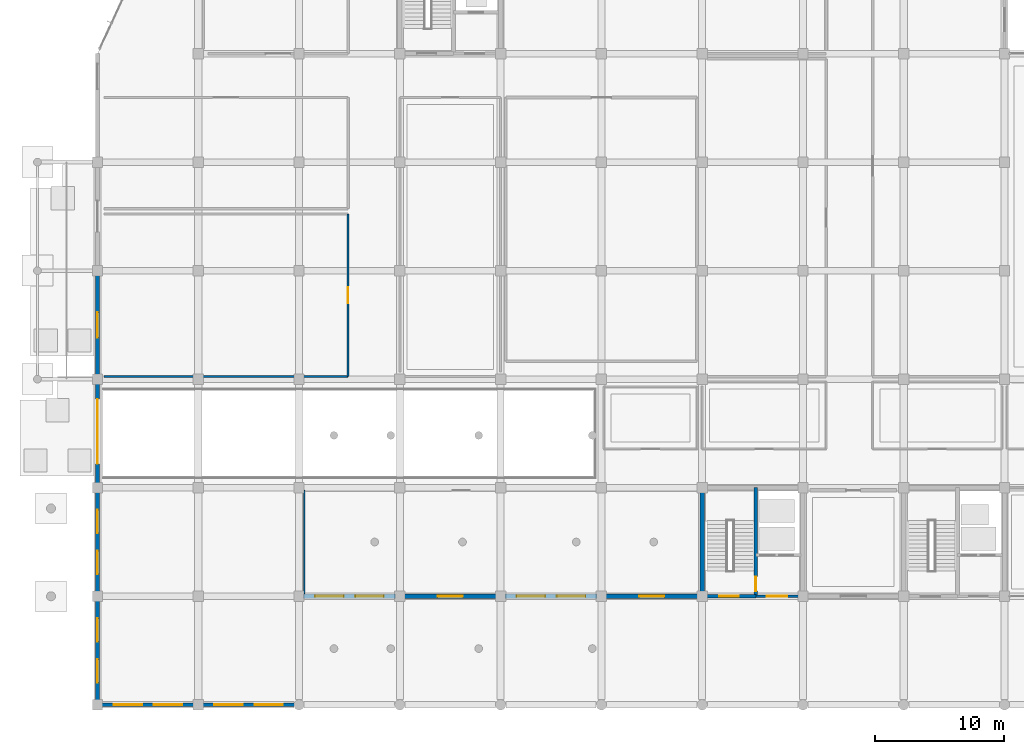
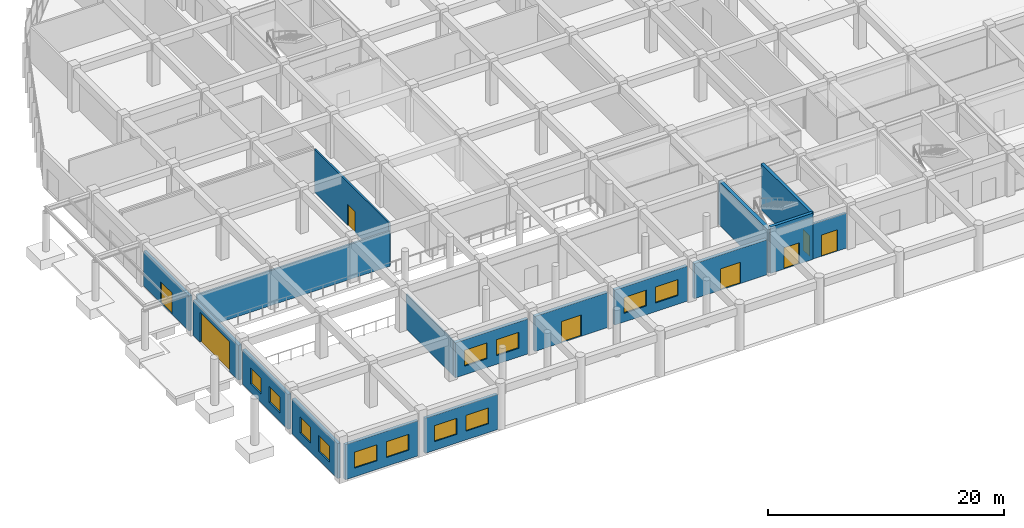
# One storey, part 121 of 139: 17 walls, 12 windows, 8 doors, 20 openings.
"""IFC4 building model written with IfcOpenShell, lengths in metres."""

from ifc_helpers import new_model, si_unit, direction, frame, frame_2d, origin, place, context, subcontext, project, spatial, rectangle, extrude, material, layer, layer_set, type_object, element, fill, save


model = new_model("IFC4")

# Units and contexts
model_context = context("Model", 3, precision=1e-05, world=origin(), true_north=direction((0.0, 1.0)))
body_context = subcontext(model_context, "Body", "Model", "MODEL_VIEW")
ifc_project = project(units=[si_unit("LENGTHUNIT", "METRE"), si_unit("AREAUNIT", "SQUARE_METRE"), si_unit("VOLUMEUNIT", "CUBIC_METRE"), si_unit("PLANEANGLEUNIT", "RADIAN"), si_unit("MASSUNIT", "GRAM", prefix="KILO")], contexts=[model_context])

# Site, building, storey
site_placement = place(None, origin())
site = spatial("IfcSite", under=ifc_project, at=site_placement, CompositionType="ELEMENT")
building_placement = place(site_placement, origin())
building = spatial("IfcBuilding", under=site, at=building_placement, Name="Zizhar Promenade General Hospital", CompositionType="ELEMENT")
storey_placement = place(building_placement, origin())
storey = spatial("IfcBuildingStorey", under=building, at=storey_placement, Name="L00", CompositionType="ELEMENT", Elevation=0.0)

# Wall, openings, windows
ifc_material_1 = material(Name="Precast concrete C40/50", Category="concrete")
ifc_layer_1 = layer(ifc_material_1, 0.2900390625)
ifc_layer_set_1 = layer_set([ifc_layer_1], Name="Precast concrete C40/50")
wall_type_1 = type_object("IfcWallType", Name="EW-PC-290", PredefinedType="STANDARD", material=ifc_layer_set_1)
wall_1_placement = place(storey_placement, frame((7.4599609375, 0.0, 0.0), z_axis=(0.0, 0.0, 1.0), x_axis=(-1.0, 0.0, 0.0)))
wall_1 = element("IfcWall", 1, at=wall_1_placement, inside=storey, type_object=wall_type_1, Name="South-West Arm South Wall L00-1", PredefinedType="STANDARD", context=body_context, shape_type="SweptSolid", body=[
    extrude(rectangle(XDim=7.119873046875, YDim=0.2900390625, at=frame_2d((3.56005859375, 0.0))), origin(), (0.0, 0.0, 1.0), 3.6298828125),
])
opening_1_placement = place(wall_1_placement, frame((0.90673828125, 0.0, 0.89990234375)))
opening_1 = element("IfcOpeningElement", 2, at=opening_1_placement, cuts=wall_1, Name="Opening W-07", PredefinedType="OPENING", context=body_context, shape_type="SweptSolid", body=[
    extrude(rectangle(XDim=2.199951171875, YDim=1.64990234375, at=frame_2d((1.10009765625, 0.824951171875))), frame((0.0, 0.155029296875, 0.0), z_axis=(0.0, -1.0, 0.0), x_axis=(1.0, 0.0, 0.0)), (0.0, 0.0, 1.0), 0.31005859375),
])
opening_2_placement = place(wall_1_placement, frame((4.01318359375, 0.0, 0.89990234375)))
opening_2 = element("IfcOpeningElement", 3, at=opening_2_placement, cuts=wall_1, Name="Opening W-07", PredefinedType="OPENING", context=body_context, shape_type="SweptSolid", body=[
    extrude(rectangle(XDim=2.199951171875, YDim=1.64990234375, at=frame_2d((1.10009765625, 0.824951171875))), frame((0.0, 0.155029296875, 0.0), z_axis=(0.0, -1.0, 0.0), x_axis=(1.0, 0.0, 0.0)), (0.0, 0.0, 1.0), 0.31005859375),
])
ifc_material_2 = material(Name="Anodised aluminium 6063-T6 and low-E glass", Category="aluminium")
window_type_1 = type_object("IfcWindowType", Name="WIN-CLN-220x165", PartitioningType="DOUBLE_PANEL_VERTICAL", PredefinedType="WINDOW", material=ifc_material_2)
window_1_placement = place(opening_1_placement, origin())
window_1 = element("IfcWindow", 4, at=window_1_placement, inside=storey, type_object=window_type_1, Name="South-West Arm South Wall L00-1 Window 1", OverallHeight=1.64990234375, OverallWidth=2.199951171875, PartitioningType="SINGLE_PANEL", PredefinedType="WINDOW", context=body_context, shape_type="SweptSolid", body=[
    extrude(rectangle(XDim=2.199951171875, YDim=1.64990234375, at=frame_2d((1.10009765625, 0.824951171875))), frame((0.0, 0.030029296875, 0.0), z_axis=(0.0, -1.0, 0.0), x_axis=(1.0, 0.0, 0.0)), (0.0, 0.0, 1.0), 0.06005859375),
])
fill(opening_1, window_1)
window_2_placement = place(opening_2_placement, origin())
window_2 = element("IfcWindow", 5, at=window_2_placement, inside=storey, type_object=window_type_1, Name="South-West Arm South Wall L00-1 Window 2", OverallHeight=1.64990234375, OverallWidth=2.199951171875, PartitioningType="SINGLE_PANEL", PredefinedType="WINDOW", context=body_context, shape_type="SweptSolid", body=[
    extrude(rectangle(XDim=2.199951171875, YDim=1.64990234375, at=frame_2d((1.10009765625, 0.824951171875))), frame((0.0, 0.030029296875, 0.0), z_axis=(0.0, -1.0, 0.0), x_axis=(1.0, 0.0, 0.0)), (0.0, 0.0, 1.0), 0.06005859375),
])
fill(opening_2, window_2)

wall_2_placement = place(storey_placement, frame((15.260009765625, 0.0, 0.0), z_axis=(0.0, 0.0, 1.0), x_axis=(-1.0, 0.0, 0.0)))
wall_2 = element("IfcWall", 6, at=wall_2_placement, inside=storey, type_object=wall_type_1, Name="South-West Arm South Wall L00-2", PredefinedType="STANDARD", context=body_context, shape_type="SweptSolid", body=[
    extrude(rectangle(XDim=7.1201171875, YDim=0.2900390625, at=frame_2d((3.56005859375, 0.0))), origin(), (0.0, 0.0, 1.0), 3.6298828125),
])
opening_3_placement = place(wall_2_placement, frame((0.90673828125, 0.0, 0.89990234375)))
opening_3 = element("IfcOpeningElement", 7, at=opening_3_placement, cuts=wall_2, Name="Opening W-07", PredefinedType="OPENING", context=body_context, shape_type="SweptSolid", body=[
    extrude(rectangle(XDim=2.199951171875, YDim=1.64990234375, at=frame_2d((1.10009765625, 0.824951171875))), frame((0.0, 0.155029296875, 0.0), z_axis=(0.0, -1.0, 0.0), x_axis=(1.0, 0.0, 0.0)), (0.0, 0.0, 1.0), 0.31005859375),
])
opening_4_placement = place(wall_2_placement, frame((4.01318359375, 0.0, 0.89990234375)))
opening_4 = element("IfcOpeningElement", 8, at=opening_4_placement, cuts=wall_2, Name="Opening W-07", PredefinedType="OPENING", context=body_context, shape_type="SweptSolid", body=[
    extrude(rectangle(XDim=2.199951171875, YDim=1.64990234375, at=frame_2d((1.10009765625, 0.824951171875))), frame((0.0, 0.155029296875, 0.0), z_axis=(0.0, -1.0, 0.0), x_axis=(1.0, 0.0, 0.0)), (0.0, 0.0, 1.0), 0.31005859375),
])
window_3_placement = place(opening_3_placement, origin())
window_3 = element("IfcWindow", 9, at=window_3_placement, inside=storey, type_object=window_type_1, Name="South-West Arm South Wall L00-2 Window 1", OverallHeight=1.64990234375, OverallWidth=2.199951171875, PartitioningType="SINGLE_PANEL", PredefinedType="WINDOW", context=body_context, shape_type="SweptSolid", body=[
    extrude(rectangle(XDim=2.199951171875, YDim=1.64990234375, at=frame_2d((1.10009765625, 0.824951171875))), frame((0.0, 0.030029296875, 0.0), z_axis=(0.0, -1.0, 0.0), x_axis=(1.0, 0.0, 0.0)), (0.0, 0.0, 1.0), 0.06005859375),
])
fill(opening_3, window_3)
window_4_placement = place(opening_4_placement, origin())
window_4 = element("IfcWindow", 10, at=window_4_placement, inside=storey, type_object=window_type_1, Name="South-West Arm South Wall L00-2 Window 2", OverallHeight=1.64990234375, OverallWidth=2.199951171875, PartitioningType="SINGLE_PANEL", PredefinedType="WINDOW", context=body_context, shape_type="SweptSolid", body=[
    extrude(rectangle(XDim=2.199951171875, YDim=1.64990234375, at=frame_2d((1.10009765625, 0.824951171875))), frame((0.0, 0.030029296875, 0.0), z_axis=(0.0, -1.0, 0.0), x_axis=(1.0, 0.0, 0.0)), (0.0, 0.0, 1.0), 0.06005859375),
])
fill(opening_4, window_4)

# Wall, opening, door
wall_3_placement = place(storey_placement, frame((0.0, 25.5400390625, 0.0), z_axis=(0.0, 0.0, 1.0), x_axis=(0.0, 1.0, 0.0)))
wall_3 = element("IfcWall", 11, at=wall_3_placement, inside=storey, type_object=wall_type_1, Name="Emergency West Exit Wall", PredefinedType="STANDARD", context=body_context, shape_type="SweptSolid", body=[
    extrude(rectangle(XDim=7.719970703125, YDim=0.2900390625, at=frame_2d((3.85986328125, 0.0))), origin(), (0.0, 0.0, 1.0), 3.614990234375),
])
opening_5_placement = place(wall_3_placement, frame((2.8798828125, 0.0, 0.0)))
opening_5 = element("IfcOpeningElement", 12, at=opening_5_placement, cuts=wall_3, Name="Opening ED-02", PredefinedType="OPENING", context=body_context, shape_type="SweptSolid", body=[
    extrude(rectangle(XDim=1.9599609375, YDim=2.199951171875, at=frame_2d((0.97998046875, 1.10009765625))), frame((0.0, 0.155029296875, 0.0), z_axis=(0.0, -1.0, 0.0), x_axis=(1.0, 0.0, 0.0)), (0.0, 0.0, 1.0), 0.31005859375),
])
ifc_material_3 = material(Name="Anodised aluminium 6063-T6 and laminated safety glass", Category="aluminium")
door_type_1 = type_object("IfcDoorType", Name="DR-EXT-EXIT-196x220", OperationType="DOUBLE_DOOR_SINGLE_SWING", PredefinedType="DOOR", material=ifc_material_3)
door_1_placement = place(opening_5_placement, origin())
door_1 = element("IfcDoor", 13, at=door_1_placement, inside=storey, type_object=door_type_1, Name="Emergency West Final Exit Door", OperationType="DOUBLE_DOOR_SINGLE_SWING", OverallHeight=2.199951171875, OverallWidth=1.9599609375, PredefinedType="DOOR", context=body_context, shape_type="SweptSolid", body=[
    extrude(rectangle(XDim=1.9599609375, YDim=2.199951171875, at=frame_2d((0.97998046875, 1.10009765625))), frame((0.0, 0.02490234375, 0.0), z_axis=(0.0, -1.0, 0.0), x_axis=(1.0, 0.0, 0.0)), (0.0, 0.0, 1.0), 0.050048828125),
])
fill(opening_5, door_1)

# Wall, openings, windows
ifc_material_4 = material(Name="Precast concrete C40/50", Category="concrete")
ifc_layer_2 = layer(ifc_material_4, 0.320068359375)
ifc_layer_set_2 = layer_set([ifc_layer_2], Name="Precast concrete C40/50")
wall_type_2 = type_object("IfcWallType", Name="EW-PC-320", PredefinedType="STANDARD", material=ifc_layer_set_2)
wall_4_placement = place(storey_placement, frame((23.06005859375, 8.39990234375, 0.0), z_axis=(0.0, 0.0, 1.0), x_axis=(-1.0, 0.0, 0.0)))
wall_4 = element("IfcWall", 14, at=wall_4_placement, inside=storey, type_object=wall_type_2, Name="Promenade Ground Wall Bay 1", PredefinedType="STANDARD", context=body_context, shape_type="SweptSolid", body=[
    extrude(rectangle(XDim=7.1201171875, YDim=0.320068359375, at=frame_2d((3.56005859375, 0.0))), origin(), (0.0, 0.0, 1.0), 3.6298828125),
])
opening_6_placement = place(wall_4_placement, frame((0.90673828125, 0.0, 0.89990234375)))
opening_6 = element("IfcOpeningElement", 15, at=opening_6_placement, cuts=wall_4, Name="Opening W-07", PredefinedType="OPENING", context=body_context, shape_type="SweptSolid", body=[
    extrude(rectangle(XDim=2.199951171875, YDim=1.64990234375, at=frame_2d((1.10009765625, 0.824951171875))), frame((0.0, 0.169921875, 0.0), z_axis=(0.0, -1.0, 0.0), x_axis=(1.0, 0.0, 0.0)), (0.0, 0.0, 1.0), 0.340087890625),
])
opening_7_placement = place(wall_4_placement, frame((4.01318359375, 0.0, 0.89990234375)))
opening_7 = element("IfcOpeningElement", 16, at=opening_7_placement, cuts=wall_4, Name="Opening W-07", PredefinedType="OPENING", context=body_context, shape_type="SweptSolid", body=[
    extrude(rectangle(XDim=2.199951171875, YDim=1.64990234375, at=frame_2d((1.10009765625, 0.824951171875))), frame((0.0, 0.169921875, 0.0), z_axis=(0.0, -1.0, 0.0), x_axis=(1.0, 0.0, 0.0)), (0.0, 0.0, 1.0), 0.340087890625),
])
window_5_placement = place(opening_6_placement, origin())
window_5 = element("IfcWindow", 17, at=window_5_placement, inside=storey, type_object=window_type_1, Name="Promenade Ground Wall Bay 1 Window 1", OverallHeight=1.64990234375, OverallWidth=2.199951171875, PartitioningType="SINGLE_PANEL", PredefinedType="WINDOW", context=body_context, shape_type="SweptSolid", body=[
    extrude(rectangle(XDim=2.199951171875, YDim=1.64990234375, at=frame_2d((1.10009765625, 0.824951171875))), frame((0.0, 0.030029296875, 0.0), z_axis=(0.0, -1.0, 0.0), x_axis=(1.0, 0.0, 0.0)), (0.0, 0.0, 1.0), 0.06005859375),
])
fill(opening_6, window_5)
window_6_placement = place(opening_7_placement, origin())
window_6 = element("IfcWindow", 18, at=window_6_placement, inside=storey, type_object=window_type_1, Name="Promenade Ground Wall Bay 1 Window 2", OverallHeight=1.64990234375, OverallWidth=2.199951171875, PartitioningType="SINGLE_PANEL", PredefinedType="WINDOW", context=body_context, shape_type="SweptSolid", body=[
    extrude(rectangle(XDim=2.199951171875, YDim=1.64990234375, at=frame_2d((1.10009765625, 0.824951171875))), frame((0.0, 0.030029296875, 0.0), z_axis=(0.0, -1.0, 0.0), x_axis=(1.0, 0.0, 0.0)), (0.0, 0.0, 1.0), 0.06005859375),
])
fill(opening_7, window_6)

# Wall, opening, door
wall_5_placement = place(storey_placement, frame((30.860107421875, 8.39990234375, 0.0), z_axis=(0.0, 0.0, 1.0), x_axis=(-1.0, 0.0, 0.0)))
wall_5 = element("IfcWall", 19, at=wall_5_placement, inside=storey, type_object=wall_type_2, Name="Promenade Ground Wall Bay 2", PredefinedType="STANDARD", context=body_context, shape_type="SweptSolid", body=[
    extrude(rectangle(XDim=7.1201171875, YDim=0.320068359375, at=frame_2d((3.56005859375, 0.0))), origin(), (0.0, 0.0, 1.0), 3.6298828125),
])
opening_8_placement = place(wall_5_placement, frame((2.580078125, 0.0, 0.0)))
opening_8 = element("IfcOpeningElement", 20, at=opening_8_placement, cuts=wall_5, Name="Opening ED-02", PredefinedType="OPENING", context=body_context, shape_type="SweptSolid", body=[
    extrude(rectangle(XDim=1.9599609375, YDim=2.199951171875, at=frame_2d((0.97998046875, 1.10009765625))), frame((0.0, 0.169921875, 0.0), z_axis=(0.0, -1.0, 0.0), x_axis=(1.0, 0.0, 0.0)), (0.0, 0.0, 1.0), 0.340087890625),
])
door_2_placement = place(opening_8_placement, origin())
door_2 = element("IfcDoor", 21, at=door_2_placement, inside=storey, type_object=door_type_1, Name="Promenade Final Exit Door 2", OperationType="DOUBLE_DOOR_SINGLE_SWING", OverallHeight=2.199951171875, OverallWidth=1.9599609375, PredefinedType="DOOR", context=body_context, shape_type="SweptSolid", body=[
    extrude(rectangle(XDim=1.9599609375, YDim=2.199951171875, at=frame_2d((0.97998046875, 1.10009765625))), frame((0.0, 0.02490234375, 0.0), z_axis=(0.0, -1.0, 0.0), x_axis=(1.0, 0.0, 0.0)), (0.0, 0.0, 1.0), 0.050048828125),
])
fill(opening_8, door_2)

# Wall, openings, windows
wall_6_placement = place(storey_placement, frame((38.659912109375, 8.39990234375, 0.0), z_axis=(0.0, 0.0, 1.0), x_axis=(-1.0, 0.0, 0.0)))
wall_6 = element("IfcWall", 22, at=wall_6_placement, inside=storey, type_object=wall_type_2, Name="Promenade Ground Wall Bay 3", PredefinedType="STANDARD", context=body_context, shape_type="SweptSolid", body=[
    extrude(rectangle(XDim=7.119873046875, YDim=0.320068359375, at=frame_2d((3.56005859375, 0.0))), origin(), (0.0, 0.0, 1.0), 3.6298828125),
])
opening_9_placement = place(wall_6_placement, frame((0.90673828125, 0.0, 0.89990234375)))
opening_9 = element("IfcOpeningElement", 23, at=opening_9_placement, cuts=wall_6, Name="Opening W-07", PredefinedType="OPENING", context=body_context, shape_type="SweptSolid", body=[
    extrude(rectangle(XDim=2.199951171875, YDim=1.64990234375, at=frame_2d((1.10009765625, 0.824951171875))), frame((0.0, 0.169921875, 0.0), z_axis=(0.0, -1.0, 0.0), x_axis=(1.0, 0.0, 0.0)), (0.0, 0.0, 1.0), 0.340087890625),
])
opening_10_placement = place(wall_6_placement, frame((4.01318359375, 0.0, 0.89990234375)))
opening_10 = element("IfcOpeningElement", 24, at=opening_10_placement, cuts=wall_6, Name="Opening W-07", PredefinedType="OPENING", context=body_context, shape_type="SweptSolid", body=[
    extrude(rectangle(XDim=2.199951171875, YDim=1.64990234375, at=frame_2d((1.10009765625, 0.824951171875))), frame((0.0, 0.169921875, 0.0), z_axis=(0.0, -1.0, 0.0), x_axis=(1.0, 0.0, 0.0)), (0.0, 0.0, 1.0), 0.340087890625),
])
window_7_placement = place(opening_9_placement, origin())
window_7 = element("IfcWindow", 25, at=window_7_placement, inside=storey, type_object=window_type_1, Name="Promenade Ground Wall Bay 3 Window 1", OverallHeight=1.64990234375, OverallWidth=2.199951171875, PartitioningType="SINGLE_PANEL", PredefinedType="WINDOW", context=body_context, shape_type="SweptSolid", body=[
    extrude(rectangle(XDim=2.199951171875, YDim=1.64990234375, at=frame_2d((1.10009765625, 0.824951171875))), frame((0.0, 0.030029296875, 0.0), z_axis=(0.0, -1.0, 0.0), x_axis=(1.0, 0.0, 0.0)), (0.0, 0.0, 1.0), 0.06005859375),
])
fill(opening_9, window_7)
window_8_placement = place(opening_10_placement, origin())
window_8 = element("IfcWindow", 26, at=window_8_placement, inside=storey, type_object=window_type_1, Name="Promenade Ground Wall Bay 3 Window 2", OverallHeight=1.64990234375, OverallWidth=2.199951171875, PartitioningType="SINGLE_PANEL", PredefinedType="WINDOW", context=body_context, shape_type="SweptSolid", body=[
    extrude(rectangle(XDim=2.199951171875, YDim=1.64990234375, at=frame_2d((1.10009765625, 0.824951171875))), frame((0.0, 0.030029296875, 0.0), z_axis=(0.0, -1.0, 0.0), x_axis=(1.0, 0.0, 0.0)), (0.0, 0.0, 1.0), 0.06005859375),
])
fill(opening_10, window_8)

# Wall, opening, door
wall_7_placement = place(storey_placement, frame((46.4599609375, 8.39990234375, 0.0), z_axis=(0.0, 0.0, 1.0), x_axis=(-1.0, 0.0, 0.0)))
wall_7 = element("IfcWall", 27, at=wall_7_placement, inside=storey, type_object=wall_type_2, Name="Promenade Ground Wall Bay 4", PredefinedType="STANDARD", context=body_context, shape_type="SweptSolid", body=[
    extrude(rectangle(XDim=7.119873046875, YDim=0.320068359375, at=frame_2d((3.56005859375, 0.0))), origin(), (0.0, 0.0, 1.0), 3.6298828125),
])
opening_11_placement = place(wall_7_placement, frame((2.580078125, 0.0, 0.0)))
opening_11 = element("IfcOpeningElement", 28, at=opening_11_placement, cuts=wall_7, Name="Opening ED-02", PredefinedType="OPENING", context=body_context, shape_type="SweptSolid", body=[
    extrude(rectangle(XDim=1.9599609375, YDim=2.199951171875, at=frame_2d((0.97998046875, 1.10009765625))), frame((0.0, 0.169921875, 0.0), z_axis=(0.0, -1.0, 0.0), x_axis=(1.0, 0.0, 0.0)), (0.0, 0.0, 1.0), 0.340087890625),
])
door_3_placement = place(opening_11_placement, origin())
door_3 = element("IfcDoor", 29, at=door_3_placement, inside=storey, type_object=door_type_1, Name="Promenade Final Exit Door 4", OperationType="DOUBLE_DOOR_SINGLE_SWING", OverallHeight=2.199951171875, OverallWidth=1.9599609375, PredefinedType="DOOR", context=body_context, shape_type="SweptSolid", body=[
    extrude(rectangle(XDim=1.9599609375, YDim=2.199951171875, at=frame_2d((0.97998046875, 1.10009765625))), frame((0.0, 0.02490234375, 0.0), z_axis=(0.0, -1.0, 0.0), x_axis=(1.0, 0.0, 0.0)), (0.0, 0.0, 1.0), 0.050048828125),
])
fill(opening_11, door_3)

# Wall, openings, windows
wall_8_placement = place(storey_placement, frame((0.0, 0.340087890625, 0.0), z_axis=(0.0, 0.0, 1.0), x_axis=(0.0, 1.0, 0.0)))
wall_8 = element("IfcWall", 30, at=wall_8_placement, inside=storey, type_object=wall_type_2, Name="South-West Arm West Wall L00-1", PredefinedType="STANDARD", context=body_context, shape_type="SweptSolid", body=[
    extrude(rectangle(XDim=7.719970703125, YDim=0.320068359375, at=frame_2d((3.85986328125, 0.0))), origin(), (0.0, 0.0, 1.0), 3.614990234375),
])
opening_12_placement = place(wall_8_placement, frame((1.373291015625, 0.0, 0.89990234375)))
opening_12 = element("IfcOpeningElement", 31, at=opening_12_placement, cuts=wall_8, Name="Opening W-08", PredefinedType="OPENING", context=body_context, shape_type="SweptSolid", body=[
    extrude(rectangle(XDim=1.800048828125, YDim=1.64990234375, at=frame_2d((0.89990234375, 0.824951171875))), frame((0.0, 0.169921875, 0.0), z_axis=(0.0, -1.0, 0.0), x_axis=(1.0, 0.0, 0.0)), (0.0, 0.0, 1.0), 0.340087890625),
])
opening_13_placement = place(wall_8_placement, frame((4.546630859375, 0.0, 0.89990234375)))
opening_13 = element("IfcOpeningElement", 32, at=opening_13_placement, cuts=wall_8, Name="Opening W-08", PredefinedType="OPENING", context=body_context, shape_type="SweptSolid", body=[
    extrude(rectangle(XDim=1.800048828125, YDim=1.64990234375, at=frame_2d((0.89990234375, 0.824951171875))), frame((0.0, 0.169921875, 0.0), z_axis=(0.0, -1.0, 0.0), x_axis=(1.0, 0.0, 0.0)), (0.0, 0.0, 1.0), 0.340087890625),
])
ifc_material_5 = material(Name="Anodised aluminium 6063-T6 and low-E glass", Category="aluminium")
window_type_2 = type_object("IfcWindowType", Name="WIN-CLN-180x165", PartitioningType="DOUBLE_PANEL_VERTICAL", PredefinedType="WINDOW", material=ifc_material_5)
window_9_placement = place(opening_12_placement, origin())
window_9 = element("IfcWindow", 33, at=window_9_placement, inside=storey, type_object=window_type_2, Name="South-West Arm West Wall L00-1 Window 1", OverallHeight=1.64990234375, OverallWidth=1.800048828125, PartitioningType="SINGLE_PANEL", PredefinedType="WINDOW", context=body_context, shape_type="SweptSolid", body=[
    extrude(rectangle(XDim=1.800048828125, YDim=1.64990234375, at=frame_2d((0.89990234375, 0.824951171875))), frame((0.0, 0.030029296875, 0.0), z_axis=(0.0, -1.0, 0.0), x_axis=(1.0, 0.0, 0.0)), (0.0, 0.0, 1.0), 0.06005859375),
])
fill(opening_12, window_9)
window_10_placement = place(opening_13_placement, origin())
window_10 = element("IfcWindow", 34, at=window_10_placement, inside=storey, type_object=window_type_2, Name="South-West Arm West Wall L00-1 Window 2", OverallHeight=1.64990234375, OverallWidth=1.800048828125, PartitioningType="SINGLE_PANEL", PredefinedType="WINDOW", context=body_context, shape_type="SweptSolid", body=[
    extrude(rectangle(XDim=1.800048828125, YDim=1.64990234375, at=frame_2d((0.89990234375, 0.824951171875))), frame((0.0, 0.030029296875, 0.0), z_axis=(0.0, -1.0, 0.0), x_axis=(1.0, 0.0, 0.0)), (0.0, 0.0, 1.0), 0.06005859375),
])
fill(opening_13, window_10)

wall_9_placement = place(storey_placement, frame((0.0, 8.739990234375, 0.0), z_axis=(0.0, 0.0, 1.0), x_axis=(0.0, 1.0, 0.0)))
wall_9 = element("IfcWall", 35, at=wall_9_placement, inside=storey, type_object=wall_type_2, Name="South-West Arm West Wall L00-2", PredefinedType="STANDARD", context=body_context, shape_type="SweptSolid", body=[
    extrude(rectangle(XDim=7.719970703125, YDim=0.320068359375, at=frame_2d((3.85986328125, 0.0))), origin(), (0.0, 0.0, 1.0), 3.614990234375),
])
opening_14_placement = place(wall_9_placement, frame((1.373291015625, 0.0, 0.89990234375)))
opening_14 = element("IfcOpeningElement", 36, at=opening_14_placement, cuts=wall_9, Name="Opening W-08", PredefinedType="OPENING", context=body_context, shape_type="SweptSolid", body=[
    extrude(rectangle(XDim=1.800048828125, YDim=1.64990234375, at=frame_2d((0.89990234375, 0.824951171875))), frame((0.0, 0.169921875, 0.0), z_axis=(0.0, -1.0, 0.0), x_axis=(1.0, 0.0, 0.0)), (0.0, 0.0, 1.0), 0.340087890625),
])
opening_15_placement = place(wall_9_placement, frame((4.546630859375, 0.0, 0.89990234375)))
opening_15 = element("IfcOpeningElement", 37, at=opening_15_placement, cuts=wall_9, Name="Opening W-08", PredefinedType="OPENING", context=body_context, shape_type="SweptSolid", body=[
    extrude(rectangle(XDim=1.800048828125, YDim=1.64990234375, at=frame_2d((0.89990234375, 0.824951171875))), frame((0.0, 0.169921875, 0.0), z_axis=(0.0, -1.0, 0.0), x_axis=(1.0, 0.0, 0.0)), (0.0, 0.0, 1.0), 0.340087890625),
])
window_11_placement = place(opening_14_placement, origin())
window_11 = element("IfcWindow", 38, at=window_11_placement, inside=storey, type_object=window_type_2, Name="South-West Arm West Wall L00-2 Window 1", OverallHeight=1.64990234375, OverallWidth=1.800048828125, PartitioningType="SINGLE_PANEL", PredefinedType="WINDOW", context=body_context, shape_type="SweptSolid", body=[
    extrude(rectangle(XDim=1.800048828125, YDim=1.64990234375, at=frame_2d((0.89990234375, 0.824951171875))), frame((0.0, 0.030029296875, 0.0), z_axis=(0.0, -1.0, 0.0), x_axis=(1.0, 0.0, 0.0)), (0.0, 0.0, 1.0), 0.06005859375),
])
fill(opening_14, window_11)
window_12_placement = place(opening_15_placement, origin())
window_12 = element("IfcWindow", 39, at=window_12_placement, inside=storey, type_object=window_type_2, Name="South-West Arm West Wall L00-2 Window 2", OverallHeight=1.64990234375, OverallWidth=1.800048828125, PartitioningType="SINGLE_PANEL", PredefinedType="WINDOW", context=body_context, shape_type="SweptSolid", body=[
    extrude(rectangle(XDim=1.800048828125, YDim=1.64990234375, at=frame_2d((0.89990234375, 0.824951171875))), frame((0.0, 0.030029296875, 0.0), z_axis=(0.0, -1.0, 0.0), x_axis=(1.0, 0.0, 0.0)), (0.0, 0.0, 1.0), 0.06005859375),
])
fill(opening_15, window_12)

# Wall, opening, door
wall_10_placement = place(storey_placement, frame((0.0, 17.139892578125, 0.0), z_axis=(0.0, 0.0, 1.0), x_axis=(0.0, 1.0, 0.0)))
wall_10 = element("IfcWall", 40, at=wall_10_placement, inside=storey, type_object=wall_type_2, Name="South-West Arm West Wall L00-3", PredefinedType="STANDARD", context=body_context, shape_type="SweptSolid", body=[
    extrude(rectangle(XDim=7.72021484375, YDim=0.320068359375, at=frame_2d((3.860107421875, 0.0))), origin(), (0.0, 0.0, 1.0), 3.614990234375),
])
opening_16_placement = place(wall_10_placement, frame((1.514404296875, 0.0, 0.0)))
opening_16 = element("IfcOpeningElement", 41, at=opening_16_placement, cuts=wall_10, Name="Opening VG-01", PredefinedType="OPENING", context=body_context, shape_type="SweptSolid", body=[
    extrude(rectangle(XDim=5.0, YDim=3.10009765625, at=frame_2d((2.5, 1.550048828125))), frame((0.0, 0.169921875, 0.0), z_axis=(0.0, -1.0, 0.0), x_axis=(1.0, 0.0, 0.0)), (0.0, 0.0, 1.0), 0.340087890625),
])
ifc_material_6 = material(Name="Galvanised Steel S355", Category="steel")
door_type_2 = type_object("IfcDoorType", Name="GT-VEH-500x310", OperationType="ROLLINGUP", PredefinedType="GATE", material=ifc_material_6)
door_4_placement = place(opening_16_placement, origin())
door_4 = element("IfcDoor", 42, at=door_4_placement, inside=storey, type_object=door_type_2, Name="Basement Ramp Vehicle Shutter Gate VG-01", OperationType="ROLLINGUP", OverallHeight=3.10009765625, OverallWidth=5.0, PredefinedType="GATE", context=body_context, shape_type="SweptSolid", body=[
    extrude(rectangle(XDim=5.0, YDim=3.10009765625, at=frame_2d((2.5, 1.550048828125))), frame((0.0, 0.02490234375, 0.0), z_axis=(0.0, -1.0, 0.0), x_axis=(1.0, 0.0, 0.0)), (0.0, 0.0, 1.0), 0.050048828125),
])
fill(opening_16, door_4)

# Wall
ifc_material_7 = material(Name="Fire-rated corridor gypsum partition")
ifc_layer_3 = layer(ifc_material_7, 0.1650390625)
ifc_layer_set_3 = layer_set([ifc_layer_3], Name="Fire-rated corridor gypsum partition")
wall_type_3 = type_object("IfcWallType", Name="IW-CORR-165", PredefinedType="PARTITIONING", material=ifc_layer_set_3)
wall_11_placement = place(storey_placement, frame((0.5, 25.39990234375, 0.0), z_axis=(0.0, 0.0, 1.0), x_axis=(1.0, 0.0, 0.0)))
element("IfcWall", 43, at=wall_11_placement, inside=storey, type_object=wall_type_3, Name="Emergency Department Walk-In Triage Suite S Partition", PredefinedType="PARTITIONING", context=body_context, shape_type="SweptSolid", body=[
    extrude(rectangle(XDim=18.89990234375, YDim=0.1650390625, at=frame_2d((9.449951171875, 0.0))), origin(), (0.0, 0.0, 1.0), 3.6298828125),
])

# Wall, opening, door
wall_12_placement = place(storey_placement, frame((19.39990234375, 25.39990234375, 0.0), z_axis=(0.0, 0.0, 1.0), x_axis=(0.0, 1.0, 0.0)))
wall_12 = element("IfcWall", 44, at=wall_12_placement, inside=storey, type_object=wall_type_3, Name="Emergency Department Walk-In Triage Suite E Partition", PredefinedType="PARTITIONING", context=body_context, shape_type="SweptSolid", body=[
    extrude(rectangle(XDim=12.60009765625, YDim=0.1650390625, at=frame_2d((6.300048828125, 0.0))), origin(), (0.0, 0.0, 1.0), 4.4599609375),
])
opening_17_placement = place(wall_12_placement, frame((5.675048828125, 0.0, 0.0)))
opening_17 = element("IfcOpeningElement", 45, at=opening_17_placement, cuts=wall_12, Name="Opening D-13", PredefinedType="OPENING", context=body_context, shape_type="SweptSolid", body=[
    extrude(rectangle(XDim=1.25, YDim=2.14990234375, at=frame_2d((0.625, 1.074951171875))), frame((0.0, 0.092529296875, 0.0), z_axis=(0.0, -1.0, 0.0), x_axis=(1.0, 0.0, 0.0)), (0.0, 0.0, 1.0), 0.18505859375),
])
ifc_material_8 = material(Name="Fire-rated timber clinical leaf", Category="wood")
door_type_3 = type_object("IfcDoorType", Name="DR-ED-EXAM-125x215", OperationType="NOTDEFINED", PredefinedType="DOOR", material=ifc_material_8)
door_5_placement = place(opening_17_placement, origin())
door_5 = element("IfcDoor", 46, at=door_5_placement, inside=storey, type_object=door_type_3, Name="Emergency Department Walk-In Triage Suite Door", OperationType="SINGLE_SWING_RIGHT", OverallHeight=2.14990234375, OverallWidth=1.25, PredefinedType="DOOR", context=body_context, shape_type="SweptSolid", body=[
    extrude(rectangle(XDim=1.25, YDim=2.14990234375, at=frame_2d((0.625, 1.074951171875))), frame((0.0, 0.02490234375, 0.0), z_axis=(0.0, -1.0, 0.0), x_axis=(1.0, 0.0, 0.0)), (0.0, 0.0, 1.0), 0.050048828125),
])
fill(opening_17, door_5)

ifc_material_9 = material(Name="Concrete C35/45", Category="concrete")
ifc_layer_4 = layer(ifc_material_9, 0.215087890625)
ifc_layer_set_4 = layer_set([ifc_layer_4], Name="Concrete C35/45")
wall_type_4 = type_object("IfcWallType", Name="IW-LOBBY-215", PredefinedType="STANDARD", material=ifc_layer_set_4)
wall_13_placement = place(storey_placement, frame((50.949951171875, 8.39990234375, 0.0), z_axis=(0.0, 0.0, 1.0), x_axis=(1.0, 0.0, 0.0)))
wall_13 = element("IfcWall", 47, at=wall_13_placement, inside=storey, type_object=wall_type_4, Name="Core C2 Lift Lobby South Fire Wall (L00)", PredefinedType="STANDARD", context=body_context, shape_type="SweptSolid", body=[
    extrude(rectangle(XDim=3.2900390625, YDim=0.215087890625, at=frame_2d((1.64501953125, 0.0))), origin(), (0.0, 0.0, 1.0), 3.6298828125),
])
opening_18_placement = place(wall_13_placement, frame((0.864990234375, 0.0, 0.0)))
opening_18 = element("IfcOpeningElement", 48, at=opening_18_placement, cuts=wall_13, Name="Opening D-22", PredefinedType="OPENING", context=body_context, shape_type="SweptSolid", body=[
    extrude(rectangle(XDim=1.56005859375, YDim=2.199951171875, at=frame_2d((0.780029296875, 1.10009765625))), frame((0.0, 0.11767578125, 0.0), z_axis=(0.0, -1.0, 0.0), x_axis=(1.0, 0.0, 0.0)), (0.0, 0.0, 1.0), 0.235107421875),
])
ifc_material_10 = material(Name="Steel S355 firefighting lobby pair", Category="steel")
door_type_4 = type_object("IfcDoorType", Name="DR-LOBBY-FF-156x220", OperationType="DOUBLE_DOOR_SINGLE_SWING", PredefinedType="DOOR", material=ifc_material_10)
door_6_placement = place(opening_18_placement, origin())
door_6 = element("IfcDoor", 49, at=door_6_placement, inside=storey, type_object=door_type_4, Name="Core C2 Firefighting Lift Lobby Door (L00)", OperationType="DOUBLE_DOOR_SINGLE_SWING", OverallHeight=2.199951171875, OverallWidth=1.56005859375, PredefinedType="DOOR", context=body_context, shape_type="SweptSolid", body=[
    extrude(rectangle(XDim=1.56005859375, YDim=2.199951171875, at=frame_2d((0.780029296875, 1.10009765625))), frame((0.0, 0.02490234375, 0.0), z_axis=(0.0, -1.0, 0.0), x_axis=(1.0, 0.0, 0.0)), (0.0, 0.0, 1.0), 0.050048828125),
])
fill(opening_18, door_6)

# Wall
ifc_material_11 = material(Name="Clean utility gypsum partition")
ifc_layer_5 = layer(ifc_material_11, 0.114990234375)
ifc_layer_set_5 = layer_set([ifc_layer_5], Name="Clean utility gypsum partition")
wall_type_5 = type_object("IfcWallType", Name="IW-STR-115", PredefinedType="PARTITIONING", material=ifc_layer_set_5)
wall_14_placement = place(storey_placement, frame((16.0, 8.60009765625, 0.0), z_axis=(0.0, 0.0, 1.0), x_axis=(0.0, 1.0, 0.0)))
element("IfcWall", 50, at=wall_14_placement, inside=storey, type_object=wall_type_5, Name="Admissions and Patient Liaison Suite W Partition", PredefinedType="PARTITIONING", context=body_context, shape_type="SweptSolid", body=[
    extrude(rectangle(XDim=8.0, YDim=0.114990234375, at=frame_2d((4.0, 0.0))), origin(), (0.0, 0.0, 1.0), 3.6298828125),
])

# Wall, opening, door
ifc_material_12 = material(Name="Concrete C40/50", Category="concrete")
ifc_layer_6 = layer(ifc_material_12, 0.300048828125)
ifc_layer_set_6 = layer_set([ifc_layer_6], Name="Concrete C40/50")
wall_type_6 = type_object("IfcWallType", Name="WL-CORE-300", PredefinedType="SHEAR", material=ifc_layer_set_6)
wall_15_placement = place(storey_placement, frame((46.800048828125, 8.39990234375, 0.0), z_axis=(0.0, 0.0, 1.0), x_axis=(1.0, 0.0, 0.0)))
wall_15 = element("IfcWall", 51, at=wall_15_placement, inside=storey, type_object=wall_type_6, Name="Core C2 Stair South Fire Wall (L00)", PredefinedType="SHEAR", context=body_context, shape_type="SweptSolid", body=[
    extrude(rectangle(XDim=4.14990234375, YDim=0.300048828125, at=frame_2d((2.074951171875, 0.0))), origin(), (0.0, 0.0, 1.0), 4.800048828125),
])
opening_19_placement = place(wall_15_placement, frame((1.3349609375, 0.0, 0.0)))
opening_19 = element("IfcOpeningElement", 52, at=opening_19_placement, cuts=wall_15, Name="Opening D-20", PredefinedType="OPENING", context=body_context, shape_type="SweptSolid", body=[
    extrude(rectangle(XDim=1.47998046875, YDim=2.199951171875, at=frame_2d((0.739990234375, 1.10009765625))), frame((0.0, 0.16015625, 0.0), z_axis=(0.0, -1.0, 0.0), x_axis=(1.0, 0.0, 0.0)), (0.0, 0.0, 1.0), 0.320068359375),
])
ifc_material_13 = material(Name="Steel S355 fire-exit pair", Category="steel")
door_type_5 = type_object("IfcDoorType", Name="DR-STAIR-148x220", OperationType="DOUBLE_DOOR_SINGLE_SWING", PredefinedType="DOOR", material=ifc_material_13)
door_7_placement = place(opening_19_placement, origin())
door_7 = element("IfcDoor", 53, at=door_7_placement, inside=storey, type_object=door_type_5, Name="Exit Stair ST-02 Door (L00)", OperationType="DOUBLE_DOOR_SINGLE_SWING", OverallHeight=2.199951171875, OverallWidth=1.47998046875, PredefinedType="DOOR", context=body_context, shape_type="SweptSolid", body=[
    extrude(rectangle(XDim=1.47998046875, YDim=2.199951171875, at=frame_2d((0.739990234375, 1.10009765625))), frame((0.0, 0.02490234375, 0.0), z_axis=(0.0, -1.0, 0.0), x_axis=(1.0, 0.0, 0.0)), (0.0, 0.0, 1.0), 0.050048828125),
])
fill(opening_19, door_7)

wall_16_placement = place(storey_placement, frame((50.949951171875, 8.39990234375, 0.0), z_axis=(0.0, 0.0, 1.0), x_axis=(0.0, 1.0, 0.0)))
wall_16 = element("IfcWall", 54, at=wall_16_placement, inside=storey, type_object=wall_type_6, Name="Core C2 Stair-Shaft Separation Wall (L00)", PredefinedType="SHEAR", context=body_context, shape_type="SweptSolid", body=[
    extrude(rectangle(XDim=8.400146484375, YDim=0.300048828125, at=frame_2d((4.2001953125, 0.0))), origin(), (0.0, 0.0, 1.0), 4.800048828125),
])
opening_20_placement = place(wall_16_placement, frame((0.39990234375, 0.0, 0.0)))
opening_20 = element("IfcOpeningElement", 55, at=opening_20_placement, cuts=wall_16, Name="Opening D-21", PredefinedType="OPENING", context=body_context, shape_type="SweptSolid", body=[
    extrude(rectangle(XDim=1.1201171875, YDim=2.14990234375, at=frame_2d((0.56005859375, 1.074951171875))), frame((0.0, 0.16015625, 0.0), z_axis=(0.0, -1.0, 0.0), x_axis=(1.0, 0.0, 0.0)), (0.0, 0.0, 1.0), 0.320068359375),
])
ifc_material_14 = material(Name="Steel S355 protected stair door", Category="steel")
door_type_6 = type_object("IfcDoorType", Name="DR-STAIR-112x215", OperationType="NOTDEFINED", PredefinedType="DOOR", material=ifc_material_14)
door_8_placement = place(opening_20_placement, origin())
door_8 = element("IfcDoor", 56, at=door_8_placement, inside=storey, type_object=door_type_6, Name="Firefighting Lobby to Stair ST-02 Door (L00)", OperationType="SINGLE_SWING_RIGHT", OverallHeight=2.14990234375, OverallWidth=1.1201171875, PredefinedType="DOOR", context=body_context, shape_type="SweptSolid", body=[
    extrude(rectangle(XDim=1.1201171875, YDim=2.14990234375, at=frame_2d((0.56005859375, 1.074951171875))), frame((0.0, 0.02490234375, 0.0), z_axis=(0.0, -1.0, 0.0), x_axis=(1.0, 0.0, 0.0)), (0.0, 0.0, 1.0), 0.050048828125),
])
fill(opening_20, door_8)

# Wall
ifc_material_15 = material(Name="Concrete C40/50", Category="concrete")
ifc_layer_7 = layer(ifc_material_15, 0.35009765625)
ifc_layer_set_7 = layer_set([ifc_layer_7], Name="Concrete C40/50")
wall_type_7 = type_object("IfcWallType", Name="WL-CORE-350", PredefinedType="SHEAR", material=ifc_layer_set_7)
wall_17_placement = place(storey_placement, frame((46.800048828125, 8.39990234375, 0.0), z_axis=(0.0, 0.0, 1.0), x_axis=(0.0, 1.0, 0.0)))
element("IfcWall", 57, at=wall_17_placement, inside=storey, type_object=wall_type_7, Name="Core C2 West Shear Wall L00", PredefinedType="SHEAR", context=body_context, shape_type="SweptSolid", body=[
    extrude(rectangle(XDim=8.400146484375, YDim=0.35009765625, at=frame_2d((4.2001953125, 0.0))), origin(), (0.0, 0.0, 1.0), 4.47998046875),
])

save(model, "model.ifc")
